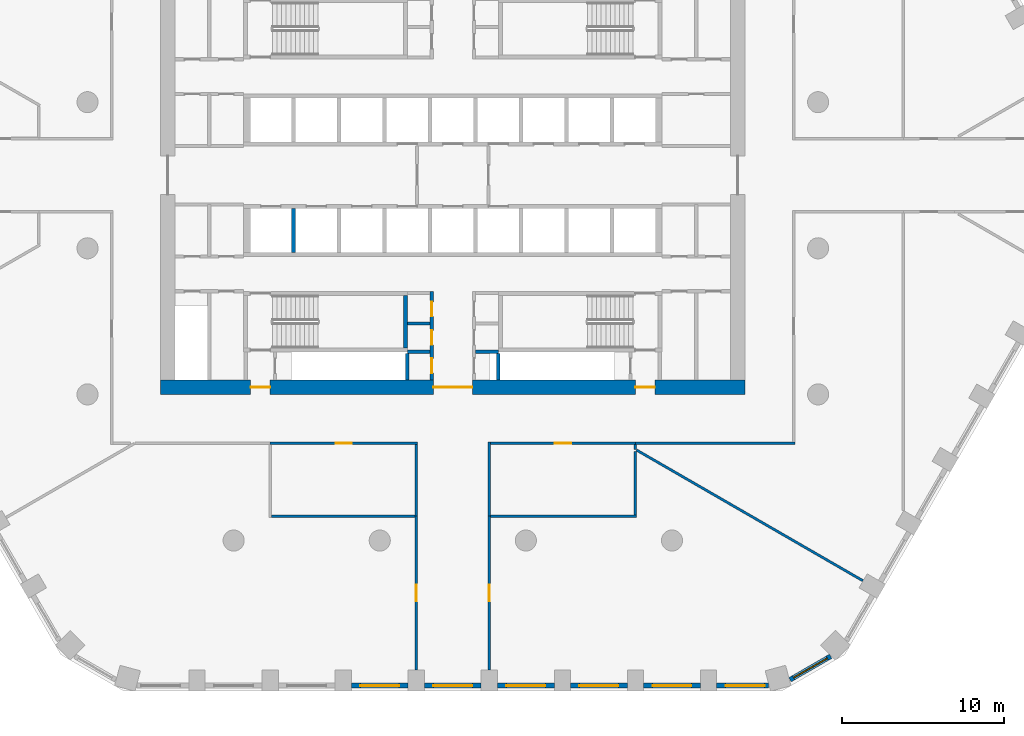
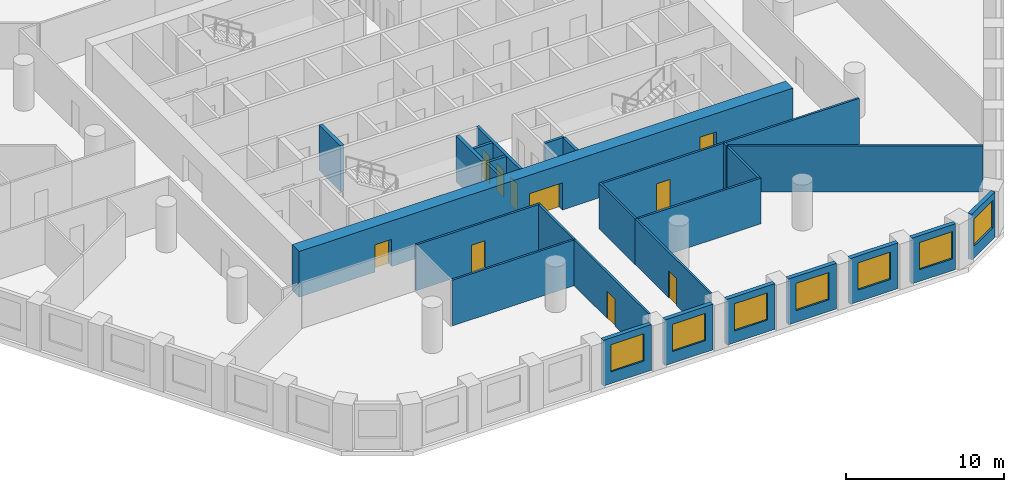
# One storey, part 3 of 10: 28 walls, 10 doors, 7 windows, 17 openings.
"""IFC4 building model written with IfcOpenShell, lengths in metres."""

from ifc_helpers import new_model, si_unit, direction, frame, frame_2d, origin, place, context, subcontext, project, spatial, polyline, rectangle, outline, extrude, material, layer, layer_set, type_object, element, fill, save


model = new_model("IFC4")

# Units and contexts
model_context = context("Model", 3, precision=1e-05, world=origin(), true_north=direction((0.0, 1.0)))
body_context = subcontext(model_context, "Body", "Model", "MODEL_VIEW")
ifc_project = project(units=[si_unit("LENGTHUNIT", "METRE"), si_unit("AREAUNIT", "SQUARE_METRE"), si_unit("VOLUMEUNIT", "CUBIC_METRE"), si_unit("PLANEANGLEUNIT", "RADIAN"), si_unit("MASSUNIT", "GRAM", prefix="KILO")], contexts=[model_context])

# Site, building, storey
site_placement = place(None, origin())
site = spatial("IfcSite", under=ifc_project, at=site_placement, CompositionType="ELEMENT")
building_placement = place(site_placement, origin())
building = spatial("IfcBuilding", under=site, at=building_placement, Name="Dhurran Vertical Campus", CompositionType="ELEMENT")
storey_placement = place(building_placement, frame((0.0, 0.0, 112.5)))
storey = spatial("IfcBuildingStorey", under=building, at=storey_placement, Name="L27", CompositionType="ELEMENT", Elevation=112.5)

# Wall, opening, window
ifc_material_1 = material(Name="Precast concrete C50/60", Category="concrete")
ifc_layer_1 = layer(ifc_material_1, 0.300048828125)
ifc_layer_set_1 = layer_set([ifc_layer_1], Name="Precast concrete C50/60")
wall_type_1 = type_object("IfcWallType", Name="Precast spandrel wall 300", PredefinedType="SOLIDWALL", material=ifc_layer_set_1)
wall_1_placement = place(storey_placement, frame((-6.24951171875, -31.4296875, 0.0), z_axis=(0.0, 0.0, 1.0), x_axis=(1.0, 0.0, 0.0)))
wall_1 = element("IfcWall", 1, at=wall_1_placement, inside=storey, type_object=wall_type_1, Name="EW1 L27.03", PredefinedType="SOLIDWALL", context=body_context, shape_type="SweptSolid", body=[
    extrude(rectangle(XDim=3.4990234375, YDim=0.300048828125, at=frame_2d((1.74951171875, 0.0))), origin(), (0.0, 0.0, 1.0), 3.52490234375),
])
opening_1_placement = place(wall_1_placement, frame((0.549560546875, 0.0, 0.89990234375)))
opening_1 = element("IfcOpeningElement", 2, at=opening_1_placement, cuts=wall_1, Name="Opening WT1", PredefinedType="OPENING", context=body_context, shape_type="SweptSolid", body=[
    extrude(rectangle(XDim=2.39990234375, YDim=2.10009765625, at=frame_2d((1.199951171875, 1.050048828125))), frame((0.0, 0.159912109375, 0.0), z_axis=(0.0, -1.0, 0.0), x_axis=(1.0, 0.0, 0.0)), (0.0, 0.0, 1.0), 0.320068359375),
])
ifc_material_2 = material(Name="Aluminium frame with solar-control glass", Category="aluminium")
window_type = type_object("IfcWindowType", Name="Punched window 2400 x 2100", PartitioningType="SINGLE_PANEL", PredefinedType="WINDOW", material=ifc_material_2)
window_1_placement = place(opening_1_placement, origin())
window_1 = element("IfcWindow", 3, at=window_1_placement, inside=storey, type_object=window_type, Name="WT1 L27.03", OverallHeight=2.10009765625, OverallWidth=2.39990234375, PartitioningType="SINGLE_PANEL", PredefinedType="WINDOW", context=body_context, shape_type="SweptSolid", body=[
    extrude(rectangle(XDim=2.39990234375, YDim=2.10009765625, at=frame_2d((1.199951171875, 1.050048828125))), frame((0.0, 0.030029296875, 0.0), z_axis=(0.0, -1.0, 0.0), x_axis=(1.0, 0.0, 0.0)), (0.0, 0.0, 1.0), 0.06005859375),
])
fill(opening_1, window_1)

wall_2_placement = place(storey_placement, frame((-1.74951171875, -31.4296875, 0.0), z_axis=(0.0, 0.0, 1.0), x_axis=(1.0, 0.0, 0.0)))
wall_2 = element("IfcWall", 4, at=wall_2_placement, inside=storey, type_object=wall_type_1, Name="EW1 L27.04", PredefinedType="SOLIDWALL", context=body_context, shape_type="SweptSolid", body=[
    extrude(rectangle(XDim=3.4990234375, YDim=0.300048828125, at=frame_2d((1.74951171875, 0.0))), origin(), (0.0, 0.0, 1.0), 3.52490234375),
])
opening_2_placement = place(wall_2_placement, frame((0.549560546875, 0.0, 0.89990234375)))
opening_2 = element("IfcOpeningElement", 5, at=opening_2_placement, cuts=wall_2, Name="Opening WT1", PredefinedType="OPENING", context=body_context, shape_type="SweptSolid", body=[
    extrude(rectangle(XDim=2.39990234375, YDim=2.10009765625, at=frame_2d((1.199951171875, 1.050048828125))), frame((0.0, 0.159912109375, 0.0), z_axis=(0.0, -1.0, 0.0), x_axis=(1.0, 0.0, 0.0)), (0.0, 0.0, 1.0), 0.320068359375),
])
window_2_placement = place(opening_2_placement, origin())
window_2 = element("IfcWindow", 6, at=window_2_placement, inside=storey, type_object=window_type, Name="WT1 L27.04", OverallHeight=2.10009765625, OverallWidth=2.39990234375, PartitioningType="SINGLE_PANEL", PredefinedType="WINDOW", context=body_context, shape_type="SweptSolid", body=[
    extrude(rectangle(XDim=2.39990234375, YDim=2.10009765625, at=frame_2d((1.199951171875, 1.050048828125))), frame((0.0, 0.030029296875, 0.0), z_axis=(0.0, -1.0, 0.0), x_axis=(1.0, 0.0, 0.0)), (0.0, 0.0, 1.0), 0.06005859375),
])
fill(opening_2, window_2)

wall_3_placement = place(storey_placement, frame((2.75048828125, -31.4296875, 0.0), z_axis=(0.0, 0.0, 1.0), x_axis=(1.0, 0.0, 0.0)))
wall_3 = element("IfcWall", 7, at=wall_3_placement, inside=storey, type_object=wall_type_1, Name="EW1 L27.05", PredefinedType="SOLIDWALL", context=body_context, shape_type="SweptSolid", body=[
    extrude(rectangle(XDim=3.4990234375, YDim=0.300048828125, at=frame_2d((1.74951171875, 0.0))), origin(), (0.0, 0.0, 1.0), 3.52490234375),
])
opening_3_placement = place(wall_3_placement, frame((0.549560546875, 0.0, 0.89990234375)))
opening_3 = element("IfcOpeningElement", 8, at=opening_3_placement, cuts=wall_3, Name="Opening WT1", PredefinedType="OPENING", context=body_context, shape_type="SweptSolid", body=[
    extrude(rectangle(XDim=2.39990234375, YDim=2.10009765625, at=frame_2d((1.199951171875, 1.050048828125))), frame((0.0, 0.159912109375, 0.0), z_axis=(0.0, -1.0, 0.0), x_axis=(1.0, 0.0, 0.0)), (0.0, 0.0, 1.0), 0.320068359375),
])
window_3_placement = place(opening_3_placement, origin())
window_3 = element("IfcWindow", 9, at=window_3_placement, inside=storey, type_object=window_type, Name="WT1 L27.05", OverallHeight=2.10009765625, OverallWidth=2.39990234375, PartitioningType="SINGLE_PANEL", PredefinedType="WINDOW", context=body_context, shape_type="SweptSolid", body=[
    extrude(rectangle(XDim=2.39990234375, YDim=2.10009765625, at=frame_2d((1.199951171875, 1.050048828125))), frame((0.0, 0.030029296875, 0.0), z_axis=(0.0, -1.0, 0.0), x_axis=(1.0, 0.0, 0.0)), (0.0, 0.0, 1.0), 0.06005859375),
])
fill(opening_3, window_3)

wall_4_placement = place(storey_placement, frame((7.25048828125, -31.4296875, 0.0), z_axis=(0.0, 0.0, 1.0), x_axis=(1.0, 0.0, 0.0)))
wall_4 = element("IfcWall", 10, at=wall_4_placement, inside=storey, type_object=wall_type_1, Name="EW1 L27.06", PredefinedType="SOLIDWALL", context=body_context, shape_type="SweptSolid", body=[
    extrude(rectangle(XDim=3.4990234375, YDim=0.300048828125, at=frame_2d((1.74951171875, 0.0))), origin(), (0.0, 0.0, 1.0), 3.52490234375),
])
opening_4_placement = place(wall_4_placement, frame((0.549560546875, 0.0, 0.89990234375)))
opening_4 = element("IfcOpeningElement", 11, at=opening_4_placement, cuts=wall_4, Name="Opening WT1", PredefinedType="OPENING", context=body_context, shape_type="SweptSolid", body=[
    extrude(rectangle(XDim=2.39990234375, YDim=2.10009765625, at=frame_2d((1.199951171875, 1.050048828125))), frame((0.0, 0.159912109375, 0.0), z_axis=(0.0, -1.0, 0.0), x_axis=(1.0, 0.0, 0.0)), (0.0, 0.0, 1.0), 0.320068359375),
])
window_4_placement = place(opening_4_placement, origin())
window_4 = element("IfcWindow", 12, at=window_4_placement, inside=storey, type_object=window_type, Name="WT1 L27.06", OverallHeight=2.10009765625, OverallWidth=2.39990234375, PartitioningType="SINGLE_PANEL", PredefinedType="WINDOW", context=body_context, shape_type="SweptSolid", body=[
    extrude(rectangle(XDim=2.39990234375, YDim=2.10009765625, at=frame_2d((1.199951171875, 1.050048828125))), frame((0.0, 0.030029296875, 0.0), z_axis=(0.0, -1.0, 0.0), x_axis=(1.0, 0.0, 0.0)), (0.0, 0.0, 1.0), 0.06005859375),
])
fill(opening_4, window_4)

wall_5_placement = place(storey_placement, frame((11.75048828125, -31.4296875, 0.0), z_axis=(0.0, 0.0, 1.0), x_axis=(1.0, 0.0, 0.0)))
wall_5 = element("IfcWall", 13, at=wall_5_placement, inside=storey, type_object=wall_type_1, Name="EW1 L27.07", PredefinedType="SOLIDWALL", context=body_context, shape_type="SweptSolid", body=[
    extrude(rectangle(XDim=3.4990234375, YDim=0.300048828125, at=frame_2d((1.74951171875, 0.0))), origin(), (0.0, 0.0, 1.0), 3.52490234375),
])
opening_5_placement = place(wall_5_placement, frame((0.549560546875, 0.0, 0.89990234375)))
opening_5 = element("IfcOpeningElement", 14, at=opening_5_placement, cuts=wall_5, Name="Opening WT1", PredefinedType="OPENING", context=body_context, shape_type="SweptSolid", body=[
    extrude(rectangle(XDim=2.39990234375, YDim=2.10009765625, at=frame_2d((1.199951171875, 1.050048828125))), frame((0.0, 0.159912109375, 0.0), z_axis=(0.0, -1.0, 0.0), x_axis=(1.0, 0.0, 0.0)), (0.0, 0.0, 1.0), 0.320068359375),
])
window_5_placement = place(opening_5_placement, origin())
window_5 = element("IfcWindow", 15, at=window_5_placement, inside=storey, type_object=window_type, Name="WT1 L27.07", OverallHeight=2.10009765625, OverallWidth=2.39990234375, PartitioningType="SINGLE_PANEL", PredefinedType="WINDOW", context=body_context, shape_type="SweptSolid", body=[
    extrude(rectangle(XDim=2.39990234375, YDim=2.10009765625, at=frame_2d((1.199951171875, 1.050048828125))), frame((0.0, 0.030029296875, 0.0), z_axis=(0.0, -1.0, 0.0), x_axis=(1.0, 0.0, 0.0)), (0.0, 0.0, 1.0), 0.06005859375),
])
fill(opening_5, window_5)

wall_6_placement = place(storey_placement, frame((16.25048828125, -31.4296875, 0.0), z_axis=(0.0, 0.0, 1.0), x_axis=(1.0, 0.0, 0.0)))
wall_6 = element("IfcWall", 16, at=wall_6_placement, inside=storey, type_object=wall_type_1, Name="EW1 L27.08", PredefinedType="SOLIDWALL", context=body_context, shape_type="SweptSolid", body=[
    extrude(rectangle(XDim=3.1923828125, YDim=0.300048828125, at=frame_2d((1.59619140625, 0.0))), origin(), (0.0, 0.0, 1.0), 3.52490234375),
])
opening_6_placement = place(wall_6_placement, frame((0.549560546875, 0.0, 0.89990234375)))
opening_6 = element("IfcOpeningElement", 17, at=opening_6_placement, cuts=wall_6, Name="Opening WT1", PredefinedType="OPENING", context=body_context, shape_type="SweptSolid", body=[
    extrude(rectangle(XDim=2.39990234375, YDim=2.10009765625, at=frame_2d((1.199951171875, 1.050048828125))), frame((0.0, 0.159912109375, 0.0), z_axis=(0.0, -1.0, 0.0), x_axis=(1.0, 0.0, 0.0)), (0.0, 0.0, 1.0), 0.320068359375),
])
window_6_placement = place(opening_6_placement, origin())
window_6 = element("IfcWindow", 18, at=window_6_placement, inside=storey, type_object=window_type, Name="WT1 L27.08", OverallHeight=2.10009765625, OverallWidth=2.39990234375, PartitioningType="SINGLE_PANEL", PredefinedType="WINDOW", context=body_context, shape_type="SweptSolid", body=[
    extrude(rectangle(XDim=2.39990234375, YDim=2.10009765625, at=frame_2d((1.199951171875, 1.050048828125))), frame((0.0, 0.030029296875, 0.0), z_axis=(0.0, -1.0, 0.0), x_axis=(1.0, 0.0, 0.0)), (0.0, 0.0, 1.0), 0.06005859375),
])
fill(opening_6, window_6)

wall_7_placement = place(storey_placement, frame((20.774169921875, -31.072998046875, 0.0), z_axis=(0.0, 0.0, 1.0), x_axis=(0.866053149362, 0.49995194017, 0.0)))
wall_7 = element("IfcWall", 19, at=wall_7_placement, inside=storey, type_object=wall_type_1, Name="EW1 L27.09", PredefinedType="SOLIDWALL", context=body_context, shape_type="SweptSolid", body=[
    extrude(rectangle(XDim=2.885498046875, YDim=0.300048828125, at=frame_2d((1.44287109375, 0.0))), origin(), (0.0, 0.0, 1.0), 3.52490234375),
])
opening_7_placement = place(wall_7_placement, frame((0.242919921875, 0.0, 0.89990234375)))
opening_7 = element("IfcOpeningElement", 20, at=opening_7_placement, cuts=wall_7, Name="Opening WT1", PredefinedType="OPENING", context=body_context, shape_type="SweptSolid", body=[
    extrude(rectangle(XDim=2.39990234375, YDim=2.10009765625, at=frame_2d((1.199951171875, 1.050048828125))), frame((0.0, 0.159912109375, 0.0), z_axis=(0.0, -1.0, 0.0), x_axis=(1.0, 0.0, 0.0)), (0.0, 0.0, 1.0), 0.320068359375),
])
window_7_placement = place(opening_7_placement, origin())
window_7 = element("IfcWindow", 21, at=window_7_placement, inside=storey, type_object=window_type, Name="WT1 L27.09", OverallHeight=2.10009765625, OverallWidth=2.39990234375, PartitioningType="SINGLE_PANEL", PredefinedType="WINDOW", context=body_context, shape_type="SweptSolid", body=[
    extrude(rectangle(XDim=2.39990234375, YDim=2.10009765625, at=frame_2d((1.199951171875, 1.050048828125))), frame((0.0, 0.030029296875, 0.0), z_axis=(0.0, -1.0, 0.0), x_axis=(1.0, 0.0, 0.0)), (0.0, 0.0, 1.0), 0.06005859375),
])
fill(opening_7, window_7)

# Wall, openings, doors
ifc_material_3 = material(Name="Concrete C60/75", Category="concrete")
ifc_layer_2 = layer(ifc_material_3, 0.89990234375)
ifc_layer_set_2 = layer_set([ifc_layer_2], Name="Concrete C60/75")
wall_type_2 = type_object("IfcWallType", Name="co-CORE-WALL-C0-900", PredefinedType="SHEAR", material=ifc_layer_set_2)
wall_8_placement = place(storey_placement, frame((-18.0, -13.050048828125, 0.0), z_axis=(0.0, 0.0, 1.0), x_axis=(1.0, 0.0, 0.0)))
wall_8 = element("IfcWall", 22, at=wall_8_placement, inside=storey, type_object=wall_type_2, Name="Core wall S L27", PredefinedType="SHEAR", context=body_context, shape_type="SweptSolid", body=[
    extrude(rectangle(XDim=36.0, YDim=0.89990234375, at=frame_2d((18.0, 0.0))), origin(), (0.0, 0.0, 1.0), 3.52490234375),
])
opening_8_placement = place(wall_8_placement, frame((16.800048828125, 0.0, 0.0)))
opening_8 = element("IfcOpeningElement", 23, at=opening_8_placement, cuts=wall_8, Name="Opening CV2", PredefinedType="OPENING", context=body_context, shape_type="SweptSolid", body=[
    extrude(rectangle(XDim=2.39990234375, YDim=2.10009765625, at=frame_2d((1.199951171875, 1.050048828125))), frame((0.0, 0.4599609375, 0.0), z_axis=(0.0, -1.0, 0.0), x_axis=(1.0, 0.0, 0.0)), (0.0, 0.0, 1.0), 0.919921875),
])
opening_9_placement = place(wall_8_placement, frame((5.550048828125, 0.0, 0.0)))
opening_9 = element("IfcOpeningElement", 24, at=opening_9_placement, cuts=wall_8, Name="Opening XD3", PredefinedType="OPENING", context=body_context, shape_type="SweptSolid", body=[
    extrude(rectangle(XDim=1.199951171875, YDim=2.10009765625, at=frame_2d((0.60009765625, 1.050048828125))), frame((0.0, 0.4599609375, 0.0), z_axis=(0.0, -1.0, 0.0), x_axis=(1.0, 0.0, 0.0)), (0.0, 0.0, 1.0), 0.919921875),
])
opening_10_placement = place(wall_8_placement, frame((29.25, 0.0, 0.0)))
opening_10 = element("IfcOpeningElement", 25, at=opening_10_placement, cuts=wall_8, Name="Opening XD4", PredefinedType="OPENING", context=body_context, shape_type="SweptSolid", body=[
    extrude(rectangle(XDim=1.199951171875, YDim=2.10009765625, at=frame_2d((0.60009765625, 1.050048828125))), frame((0.0, 0.4599609375, 0.0), z_axis=(0.0, -1.0, 0.0), x_axis=(1.0, 0.0, 0.0)), (0.0, 0.0, 1.0), 0.919921875),
])
ifc_material_4 = material(Name="Fire-rated glazed door set")
door_type_1 = type_object("IfcDoorType", Name="co-D-LOBBY 2400x2100", OperationType="DOUBLE_DOOR_DOUBLE_SWING", PredefinedType="DOOR", material=ifc_material_4)
door_1_placement = place(opening_8_placement, origin())
door_1 = element("IfcDoor", 26, at=door_1_placement, inside=storey, type_object=door_type_1, Name="Core vestibule door S L27", OperationType="DOUBLE_DOOR_DOUBLE_SWING", OverallHeight=2.10009765625, OverallWidth=2.39990234375, PredefinedType="DOOR", context=body_context, shape_type="SweptSolid", body=[
    extrude(rectangle(XDim=2.39990234375, YDim=2.10009765625, at=frame_2d((1.199951171875, 1.050048828125))), frame((0.0, 0.02490234375, 0.0), z_axis=(0.0, -1.0, 0.0), x_axis=(1.0, 0.0, 0.0)), (0.0, 0.0, 1.0), 0.050048828125),
])
fill(opening_8, door_1)
ifc_material_5 = material(Name="Fire-rated steel door set", Category="steel")
door_type_2 = type_object("IfcDoorType", Name="co-D-STAIR-EXIT 1200x2100", OperationType="SINGLE_SWING_RIGHT", PredefinedType="DOOR", material=ifc_material_5)
door_2_placement = place(opening_9_placement, origin())
door_2 = element("IfcDoor", 27, at=door_2_placement, inside=storey, type_object=door_type_2, Name="Stair ST3 exit door L27", OperationType="SINGLE_SWING_RIGHT", OverallHeight=2.10009765625, OverallWidth=1.199951171875, PredefinedType="DOOR", context=body_context, shape_type="SweptSolid", body=[
    extrude(rectangle(XDim=1.199951171875, YDim=2.10009765625, at=frame_2d((0.60009765625, 1.050048828125))), frame((0.0, 0.02490234375, 0.0), z_axis=(0.0, -1.0, 0.0), x_axis=(1.0, 0.0, 0.0)), (0.0, 0.0, 1.0), 0.050048828125),
])
fill(opening_9, door_2)
door_3_placement = place(opening_10_placement, origin())
door_3 = element("IfcDoor", 28, at=door_3_placement, inside=storey, type_object=door_type_2, Name="Stair ST4 exit door L27", OperationType="SINGLE_SWING_RIGHT", OverallHeight=2.10009765625, OverallWidth=1.199951171875, PredefinedType="DOOR", context=body_context, shape_type="SweptSolid", body=[
    extrude(rectangle(XDim=1.199951171875, YDim=2.10009765625, at=frame_2d((0.60009765625, 1.050048828125))), frame((0.0, 0.02490234375, 0.0), z_axis=(0.0, -1.0, 0.0), x_axis=(1.0, 0.0, 0.0)), (0.0, 0.0, 1.0), 0.050048828125),
])
fill(opening_10, door_3)

# Walls
ifc_material_6 = material(Name="Fire-rated masonry blockwork", Category="masonry")
ifc_layer_3 = layer(ifc_material_6, 0.199951171875)
ifc_layer_set_3 = layer_set([ifc_layer_3], Name="Fire-rated masonry blockwork")
wall_type_3 = type_object("IfcWallType", Name="co-FIRE-PARTITION-200", PredefinedType="PARTITIONING", material=ifc_layer_set_3)
for number, where, z_axis, x_axis, name in (
    (29, (-2.800048828125, -9.135009765625, 0.0), (0.0, 0.0, 1.0), (1.0, 0.0, 0.0), "Core partition sl-SW-cut0 L27"),
    (30, (-2.800048828125, -10.867431640625, 0.0), (0.0, 0.0, 1.0), (1.0, 0.0, 0.0), "Core partition sl-SW-cut1 L27"),
    (31, (1.39990234375, -10.867431640625, 0.0), (0.0, 0.0, 1.0), (1.0, 0.0, 0.0), "Core partition sl-SE-cut1 L27"),
):
    element("IfcWall", number, at=place(storey_placement, frame(where, z_axis=z_axis, x_axis=x_axis)), inside=storey, type_object=wall_type_3, Name=name, PredefinedType="PARTITIONING", context=body_context, shape_type="SweptSolid", body=[
        extrude(rectangle(XDim=1.400146484375, YDim=0.199951171875, at=frame_2d((0.7001953125, 0.0))), origin(), (0.0, 0.0, 1.0), 3.52490234375),
    ])

# Wall, openings, doors
wall_9_placement = place(storey_placement, frame((-1.300048828125, -12.60009765625, 0.0), z_axis=(0.0, 0.0, 1.0), x_axis=(0.0, 1.0, 0.0)))
wall_9 = element("IfcWall", 32, at=wall_9_placement, inside=storey, type_object=wall_type_3, Name="Core partition vest-SW L27", PredefinedType="PARTITIONING", context=body_context, shape_type="SweptSolid", body=[
    extrude(rectangle(XDim=5.4501953125, YDim=0.199951171875, at=frame_2d((2.72509765625, 0.0))), origin(), (0.0, 0.0, 1.0), 3.52490234375),
])
opening_11_placement = place(wall_9_placement, frame((0.416259765625, 0.0, 0.0)))
opening_11 = element("IfcOpeningElement", 33, at=opening_11_placement, cuts=wall_9, Name="Opening T07-C1", PredefinedType="OPENING", context=body_context, shape_type="SweptSolid", body=[
    extrude(rectangle(XDim=0.89990234375, YDim=2.10009765625, at=frame_2d((0.449951171875, 1.050048828125))), frame((0.0, 0.10986328125, 0.0), z_axis=(0.0, -1.0, 0.0), x_axis=(1.0, 0.0, 0.0)), (0.0, 0.0, 1.0), 0.219970703125),
])
opening_12_placement = place(wall_9_placement, frame((2.148681640625, 0.0, 0.0)))
opening_12 = element("IfcOpeningElement", 34, at=opening_12_placement, cuts=wall_9, Name="Opening T07-C2", PredefinedType="OPENING", context=body_context, shape_type="SweptSolid", body=[
    extrude(rectangle(XDim=0.89990234375, YDim=2.10009765625, at=frame_2d((0.449951171875, 1.050048828125))), frame((0.0, 0.10986328125, 0.0), z_axis=(0.0, -1.0, 0.0), x_axis=(1.0, 0.0, 0.0)), (0.0, 0.0, 1.0), 0.219970703125),
])
opening_13_placement = place(wall_9_placement, frame((3.907470703125, 0.0, 0.0)))
opening_13 = element("IfcOpeningElement", 35, at=opening_13_placement, cuts=wall_9, Name="Opening T07-C3", PredefinedType="OPENING", context=body_context, shape_type="SweptSolid", body=[
    extrude(rectangle(XDim=0.89990234375, YDim=2.10009765625, at=frame_2d((0.449951171875, 1.050048828125))), frame((0.0, 0.10986328125, 0.0), z_axis=(0.0, -1.0, 0.0), x_axis=(1.0, 0.0, 0.0)), (0.0, 0.0, 1.0), 0.219970703125),
])
ifc_material_7 = material(Name="Fire-rated timber door set", Category="wood")
door_type_3 = type_object("IfcDoorType", Name="co-D-ROOM 900x2100", OperationType="SINGLE_SWING_LEFT", PredefinedType="DOOR", material=ifc_material_7)
door_4_placement = place(opening_11_placement, origin())
door_4 = element("IfcDoor", 36, at=door_4_placement, inside=storey, type_object=door_type_3, Name="Print room door L27", OperationType="SINGLE_SWING_LEFT", OverallHeight=2.10009765625, OverallWidth=0.89990234375, PredefinedType="DOOR", context=body_context, shape_type="SweptSolid", body=[
    extrude(rectangle(XDim=0.89990234375, YDim=2.10009765625, at=frame_2d((0.449951171875, 1.050048828125))), frame((0.0, 0.02490234375, 0.0), z_axis=(0.0, -1.0, 0.0), x_axis=(1.0, 0.0, 0.0)), (0.0, 0.0, 1.0), 0.050048828125),
])
fill(opening_11, door_4)
door_5_placement = place(opening_12_placement, origin())
door_5 = element("IfcDoor", 37, at=door_5_placement, inside=storey, type_object=door_type_3, Name="Server room door L27", OperationType="SINGLE_SWING_LEFT", OverallHeight=2.10009765625, OverallWidth=0.89990234375, PredefinedType="DOOR", context=body_context, shape_type="SweptSolid", body=[
    extrude(rectangle(XDim=0.89990234375, YDim=2.10009765625, at=frame_2d((0.449951171875, 1.050048828125))), frame((0.0, 0.02490234375, 0.0), z_axis=(0.0, -1.0, 0.0), x_axis=(1.0, 0.0, 0.0)), (0.0, 0.0, 1.0), 0.050048828125),
])
fill(opening_12, door_5)
door_6_placement = place(opening_13_placement, origin())
door_6 = element("IfcDoor", 38, at=door_6_placement, inside=storey, type_object=door_type_3, Name="Cleaner's store door L27", OperationType="SINGLE_SWING_LEFT", OverallHeight=2.10009765625, OverallWidth=0.89990234375, PredefinedType="DOOR", context=body_context, shape_type="SweptSolid", body=[
    extrude(rectangle(XDim=0.89990234375, YDim=2.10009765625, at=frame_2d((0.449951171875, 1.050048828125))), frame((0.0, 0.02490234375, 0.0), z_axis=(0.0, -1.0, 0.0), x_axis=(1.0, 0.0, 0.0)), (0.0, 0.0, 1.0), 0.050048828125),
])
fill(opening_13, door_6)

# Walls
for number, where, z_axis, x_axis, name in (
    (39, (-2.800048828125, -12.59912109375, 0.0), (0.0, 0.0, 1.0), (0.0, 1.0, 0.0), "Riser enclosure wall L27"),
    (40, (2.800048828125, -12.59912109375, 0.0), (0.0, 0.0, 1.0), (0.0, 1.0, 0.0), "Riser enclosure wall L27"),
):
    element("IfcWall", number, at=place(storey_placement, frame(where, z_axis=z_axis, x_axis=x_axis)), inside=storey, type_object=wall_type_3, Name=name, PredefinedType="PARTITIONING", context=body_context, shape_type="SweptSolid", body=[
        extrude(rectangle(XDim=1.630615234375, YDim=0.199951171875, at=frame_2d((0.8154296875, 0.0))), origin(), (0.0, 0.0, 1.0), 3.52490234375),
    ])
ifc_material_8 = material(Name="Concrete C50/60", Category="concrete")
ifc_layer_4 = layer(ifc_material_8, 0.25)
ifc_layer_set_4 = layer_set([ifc_layer_4], Name="Concrete C50/60")
wall_type_4 = type_object("IfcWallType", Name="co-SHAFT-MASS-250", PredefinedType="SHEAR", material=ifc_layer_set_4)
wall_10_placement = place(storey_placement, origin())
element("IfcWall", 41, at=wall_10_placement, inside=storey, type_object=wall_type_4, Name="Lift shaft wall S L27 3", PredefinedType="SHEAR", context=body_context, shape_type="SweptSolid", body=[
    extrude(outline(polyline([(-9.925048828125, -4.75), (-9.675048828125, -4.75), (-9.675048828125, -2.050048828125), (-9.925048828125, -2.050048828125), (-9.925048828125, -4.75)])), origin(), (0.0, 0.0, 1.0), 3.52490234375),
])
ifc_material_9 = material(Name="Concrete C40/50", Category="concrete")
ifc_layer_5 = layer(ifc_material_9, 0.25)
ifc_layer_set_5 = layer_set([ifc_layer_5], Name="Concrete C40/50")
wall_type_5 = type_object("IfcWallType", Name="co-STAIR-WALL-250", PredefinedType="SHEAR", material=ifc_layer_set_5)
wall_11_placement = place(storey_placement, frame((-2.925048828125, -10.64990234375, 0.0), z_axis=(0.0, 0.0, 1.0), x_axis=(0.0, 1.0, 0.0)))
element("IfcWall", 42, at=wall_11_placement, inside=storey, type_object=wall_type_5, Name="Stair ST3 enclosure wall L27", PredefinedType="SHEAR", context=body_context, shape_type="SweptSolid", body=[
    extrude(rectangle(XDim=3.25, YDim=0.25, at=frame_2d((1.625, 0.0))), origin(), (0.0, 0.0, 1.0), 3.52490234375),
])

# Wall, opening, door
ifc_material_10 = material(Name="Gypsum board corridor wall on steel studs", Category="steel")
ifc_layer_6 = layer(ifc_material_10, 0.14990234375)
ifc_layer_set_6 = layer_set([ifc_layer_6], Name="Gypsum board corridor wall on steel studs")
wall_type_6 = type_object("IfcWallType", Name="fl-CW-150 corridor wall", PredefinedType="PARTITIONING", material=ifc_layer_set_6)
wall_12_placement = place(storey_placement, frame((-11.25, -16.5, 0.0), z_axis=(0.0, 0.0, 1.0), x_axis=(1.0, 0.0, 0.0)))
wall_12 = element("IfcWall", 43, at=wall_12_placement, inside=storey, type_object=wall_type_6, Name="Partition 27-25", PredefinedType="PARTITIONING", context=body_context, shape_type="SweptSolid", body=[
    extrude(rectangle(XDim=9.074951171875, YDim=0.14990234375, at=frame_2d((4.53759765625, 0.0))), origin(), (0.0, 0.0, 1.0), 3.52490234375),
])
opening_14_placement = place(wall_12_placement, frame((4.03759765625, 0.0, 0.0)))
opening_14 = element("IfcOpeningElement", 44, at=opening_14_placement, cuts=wall_12, Name="Opening T07.09", PredefinedType="OPENING", context=body_context, shape_type="SweptSolid", body=[
    extrude(rectangle(XDim=1.0, YDim=2.10009765625, at=frame_2d((0.5, 1.050048828125))), frame((0.0, 0.0849609375, 0.0), z_axis=(0.0, -1.0, 0.0), x_axis=(1.0, 0.0, 0.0)), (0.0, 0.0, 1.0), 0.169921875),
])
ifc_material_11 = material(Name="Solid-core timber door set, fire-rated", Category="wood")
door_type_4 = type_object("IfcDoorType", Name="fl-D-1000x2100", OperationType="SINGLE_SWING_LEFT", PredefinedType="DOOR", material=ifc_material_11)
door_7_placement = place(opening_14_placement, origin())
door_7 = element("IfcDoor", 45, at=door_7_placement, inside=storey, type_object=door_type_4, Name="Door 27.09", OperationType="SINGLE_SWING_LEFT", OverallHeight=2.10009765625, OverallWidth=1.0, PredefinedType="DOOR", context=body_context, shape_type="SweptSolid", body=[
    extrude(rectangle(XDim=1.0, YDim=2.10009765625, at=frame_2d((0.5, 1.050048828125))), frame((0.0, 0.02490234375, 0.0), z_axis=(0.0, -1.0, 0.0), x_axis=(1.0, 0.0, 0.0)), (0.0, 0.0, 1.0), 0.050048828125),
])
fill(opening_14, door_7)

wall_13_placement = place(storey_placement, frame((-2.25, -30.459716796875, 0.0), z_axis=(0.0, 0.0, 1.0), x_axis=(0.0, 1.0, 0.0)))
wall_13 = element("IfcWall", 46, at=wall_13_placement, inside=storey, type_object=wall_type_6, Name="Partition 27-29", PredefinedType="PARTITIONING", context=body_context, shape_type="SweptSolid", body=[
    extrude(rectangle(XDim=9.459716796875, YDim=0.14990234375, at=frame_2d((4.72998046875, 0.0))), origin(), (0.0, 0.0, 1.0), 3.52490234375),
])
opening_15_placement = place(wall_13_placement, frame((4.22998046875, 0.0, 0.0)))
opening_15 = element("IfcOpeningElement", 47, at=opening_15_placement, cuts=wall_13, Name="Opening T07.07", PredefinedType="OPENING", context=body_context, shape_type="SweptSolid", body=[
    extrude(rectangle(XDim=1.0, YDim=2.10009765625, at=frame_2d((0.5, 1.050048828125))), frame((0.0, 0.0849609375, 0.0), z_axis=(0.0, -1.0, 0.0), x_axis=(1.0, 0.0, 0.0)), (0.0, 0.0, 1.0), 0.169921875),
])
door_8_placement = place(opening_15_placement, origin())
door_8 = element("IfcDoor", 48, at=door_8_placement, inside=storey, type_object=door_type_4, Name="Door 27.07", OperationType="SINGLE_SWING_LEFT", OverallHeight=2.10009765625, OverallWidth=1.0, PredefinedType="DOOR", context=body_context, shape_type="SweptSolid", body=[
    extrude(rectangle(XDim=1.0, YDim=2.10009765625, at=frame_2d((0.5, 1.050048828125))), frame((0.0, 0.02490234375, 0.0), z_axis=(0.0, -1.0, 0.0), x_axis=(1.0, 0.0, 0.0)), (0.0, 0.0, 1.0), 0.050048828125),
])
fill(opening_15, door_8)

# Wall
wall_14_placement = place(storey_placement, frame((-2.25, -21.0, 0.0), z_axis=(0.0, 0.0, 1.0), x_axis=(0.0, 1.0, 0.0)))
element("IfcWall", 49, at=wall_14_placement, inside=storey, type_object=wall_type_6, Name="Partition 27-30", PredefinedType="PARTITIONING", context=body_context, shape_type="SweptSolid", body=[
    extrude(rectangle(XDim=4.425048828125, YDim=0.14990234375, at=frame_2d((2.21240234375, 0.0))), origin(), (0.0, 0.0, 1.0), 3.52490234375),
])

# Wall, opening, door
wall_15_placement = place(storey_placement, frame((2.25, -21.0, 0.0), z_axis=(0.0, 0.0, 1.0), x_axis=(0.0, -1.0, 0.0)))
wall_15 = element("IfcWall", 50, at=wall_15_placement, inside=storey, type_object=wall_type_6, Name="Partition 27-33", PredefinedType="PARTITIONING", context=body_context, shape_type="SweptSolid", body=[
    extrude(rectangle(XDim=9.459716796875, YDim=0.14990234375, at=frame_2d((4.72998046875, 0.0))), origin(), (0.0, 0.0, 1.0), 3.52490234375),
])
opening_16_placement = place(wall_15_placement, frame((4.22998046875, 0.0, 0.0)))
opening_16 = element("IfcOpeningElement", 51, at=opening_16_placement, cuts=wall_15, Name="Opening T07.14", PredefinedType="OPENING", context=body_context, shape_type="SweptSolid", body=[
    extrude(rectangle(XDim=1.0, YDim=2.10009765625, at=frame_2d((0.5, 1.050048828125))), frame((0.0, 0.0849609375, 0.0), z_axis=(0.0, -1.0, 0.0), x_axis=(1.0, 0.0, 0.0)), (0.0, 0.0, 1.0), 0.169921875),
])
door_9_placement = place(opening_16_placement, origin())
door_9 = element("IfcDoor", 52, at=door_9_placement, inside=storey, type_object=door_type_4, Name="Door 27.14", OperationType="SINGLE_SWING_LEFT", OverallHeight=2.10009765625, OverallWidth=1.0, PredefinedType="DOOR", context=body_context, shape_type="SweptSolid", body=[
    extrude(rectangle(XDim=1.0, YDim=2.10009765625, at=frame_2d((0.5, 1.050048828125))), frame((0.0, 0.02490234375, 0.0), z_axis=(0.0, -1.0, 0.0), x_axis=(1.0, 0.0, 0.0)), (0.0, 0.0, 1.0), 0.050048828125),
])
fill(opening_16, door_9)

# Wall
wall_16_placement = place(storey_placement, frame((2.25, -16.425048828125, 0.0), z_axis=(0.0, 0.0, 1.0), x_axis=(0.0, -1.0, 0.0)))
element("IfcWall", 53, at=wall_16_placement, inside=storey, type_object=wall_type_6, Name="Partition 27-34", PredefinedType="PARTITIONING", context=body_context, shape_type="SweptSolid", body=[
    extrude(rectangle(XDim=4.574951171875, YDim=0.14990234375, at=frame_2d((2.28759765625, 0.0))), origin(), (0.0, 0.0, 1.0), 3.52490234375),
])

# Wall, opening, door
wall_17_placement = place(storey_placement, frame((2.324951171875, -16.5, 0.0), z_axis=(0.0, 0.0, 1.0), x_axis=(1.0, 0.0, 0.0)))
wall_17 = element("IfcWall", 54, at=wall_17_placement, inside=storey, type_object=wall_type_6, Name="Partition 27-36", PredefinedType="PARTITIONING", context=body_context, shape_type="SweptSolid", body=[
    extrude(rectangle(XDim=8.925048828125, YDim=0.14990234375, at=frame_2d((4.46240234375, 0.0))), origin(), (0.0, 0.0, 1.0), 3.52490234375),
])
opening_17_placement = place(wall_17_placement, frame((3.96240234375, 0.0, 0.0)))
opening_17 = element("IfcOpeningElement", 55, at=opening_17_placement, cuts=wall_17, Name="Opening T07.13", PredefinedType="OPENING", context=body_context, shape_type="SweptSolid", body=[
    extrude(rectangle(XDim=1.0, YDim=2.10009765625, at=frame_2d((0.5, 1.050048828125))), frame((0.0, 0.0849609375, 0.0), z_axis=(0.0, -1.0, 0.0), x_axis=(1.0, 0.0, 0.0)), (0.0, 0.0, 1.0), 0.169921875),
])
door_10_placement = place(opening_17_placement, origin())
door_10 = element("IfcDoor", 56, at=door_10_placement, inside=storey, type_object=door_type_4, Name="Door 27.13", OperationType="SINGLE_SWING_RIGHT", OverallHeight=2.10009765625, OverallWidth=1.0, PredefinedType="DOOR", context=body_context, shape_type="SweptSolid", body=[
    extrude(rectangle(XDim=1.0, YDim=2.10009765625, at=frame_2d((0.5, 1.050048828125))), frame((0.0, 0.02490234375, 0.0), z_axis=(0.0, -1.0, 0.0), x_axis=(1.0, 0.0, 0.0)), (0.0, 0.0, 1.0), 0.050048828125),
])
fill(opening_17, door_10)

# Walls
wall_18_placement = place(storey_placement, frame((11.25, -16.5, 0.0), z_axis=(0.0, 0.0, 1.0), x_axis=(1.0, 0.0, 0.0)))
element("IfcWall", 57, at=wall_18_placement, inside=storey, type_object=wall_type_6, Name="Partition 27-51", PredefinedType="PARTITIONING", context=body_context, shape_type="SweptSolid", body=[
    extrude(rectangle(XDim=9.824951171875, YDim=0.14990234375, at=frame_2d((4.91259765625, 0.0))), origin(), (0.0, 0.0, 1.0), 3.52490234375),
])
ifc_material_12 = material(Name="Gypsum board partition on steel studs", Category="steel")
ifc_layer_7 = layer(ifc_material_12, 0.14990234375)
ifc_layer_set_7 = layer_set([ifc_layer_7], Name="Gypsum board partition on steel studs")
wall_type_7 = type_object("IfcWallType", Name="fl-PW-150 fixed partition", PredefinedType="PARTITIONING", material=ifc_layer_set_7)
wall_19_placement = place(storey_placement, frame((-11.175048828125, -21.0, 0.0), z_axis=(0.0, 0.0, 1.0), x_axis=(1.0, 0.0, 0.0)))
element("IfcWall", 58, at=wall_19_placement, inside=storey, type_object=wall_type_7, Name="Partition 27-24", PredefinedType="PARTITIONING", context=body_context, shape_type="SweptSolid", body=[
    extrude(rectangle(XDim=8.85009765625, YDim=0.14990234375, at=frame_2d((4.425048828125, 0.0))), origin(), (0.0, 0.0, 1.0), 3.52490234375),
])
wall_20_placement = place(storey_placement, frame((11.324951171875, -21.0, 0.0), z_axis=(0.0, 0.0, 1.0), x_axis=(-1.0, 0.0, 0.0)))
element("IfcWall", 59, at=wall_20_placement, inside=storey, type_object=wall_type_7, Name="Partition 27-35", PredefinedType="PARTITIONING", context=body_context, shape_type="SweptSolid", body=[
    extrude(rectangle(XDim=9.0, YDim=0.14990234375, at=frame_2d((4.5, 0.0))), origin(), (0.0, 0.0, 1.0), 3.52490234375),
])
wall_21_placement = place(storey_placement, frame((11.25, -17.01708984375, 0.0), z_axis=(0.0, 0.0, 1.0), x_axis=(0.0, -1.0, 0.0)))
element("IfcWall", 60, at=wall_21_placement, inside=storey, type_object=wall_type_7, Name="Partition 27-48", PredefinedType="PARTITIONING", context=body_context, shape_type="SweptSolid", body=[
    extrude(rectangle(XDim=3.907958984375, YDim=0.14990234375, at=frame_2d((1.9541015625, 0.0))), origin(), (0.0, 0.0, 1.0), 3.52490234375),
])
wall_22_placement = place(storey_placement, frame((11.25, -16.574951171875, 0.0), z_axis=(0.0, 0.0, 1.0), x_axis=(0.0, -1.0, 0.0)))
element("IfcWall", 61, at=wall_22_placement, inside=storey, type_object=wall_type_7, Name="Partition 27-49", PredefinedType="PARTITIONING", context=body_context, shape_type="SweptSolid", body=[
    extrude(rectangle(XDim=0.31201171875, YDim=0.14990234375, at=frame_2d((0.156005859375, 0.0))), origin(), (0.0, 0.0, 1.0), 3.52490234375),
])
wall_23_placement = place(storey_placement, frame((11.31494140625, -16.924560546875, 0.0), z_axis=(0.0, 0.0, 1.0), x_axis=(0.86600725109, -0.500031440071, 0.0)))
element("IfcWall", 62, at=wall_23_placement, inside=storey, type_object=wall_type_7, Name="Partition 27-50", PredefinedType="PARTITIONING", context=body_context, shape_type="SweptSolid", body=[
    extrude(rectangle(XDim=16.095703125, YDim=0.14990234375, at=frame_2d((8.0478515625, 0.0))), origin(), (0.0, 0.0, 1.0), 3.52490234375),
])

save(model, "model.ifc")
